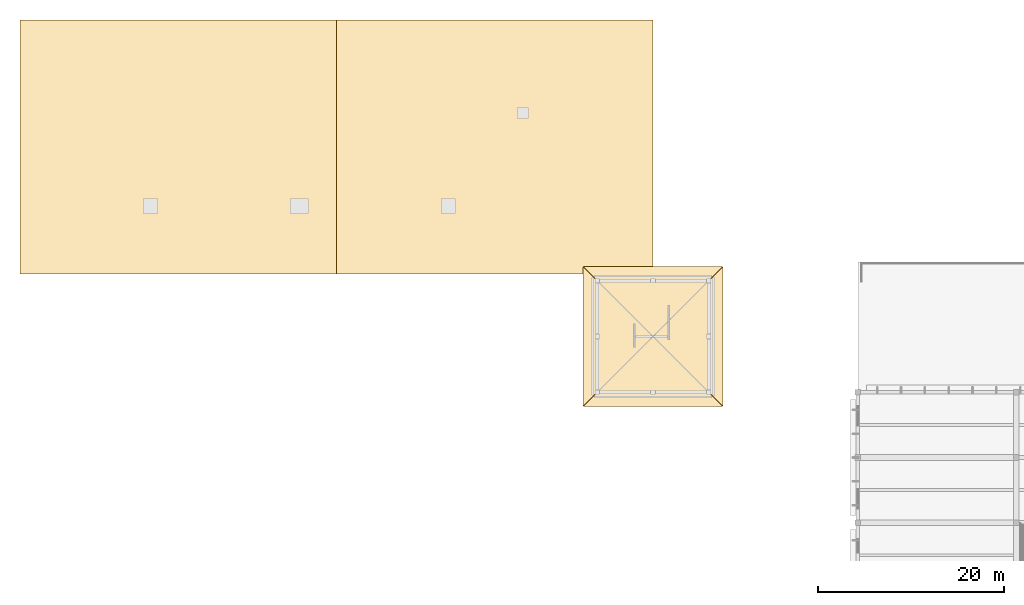
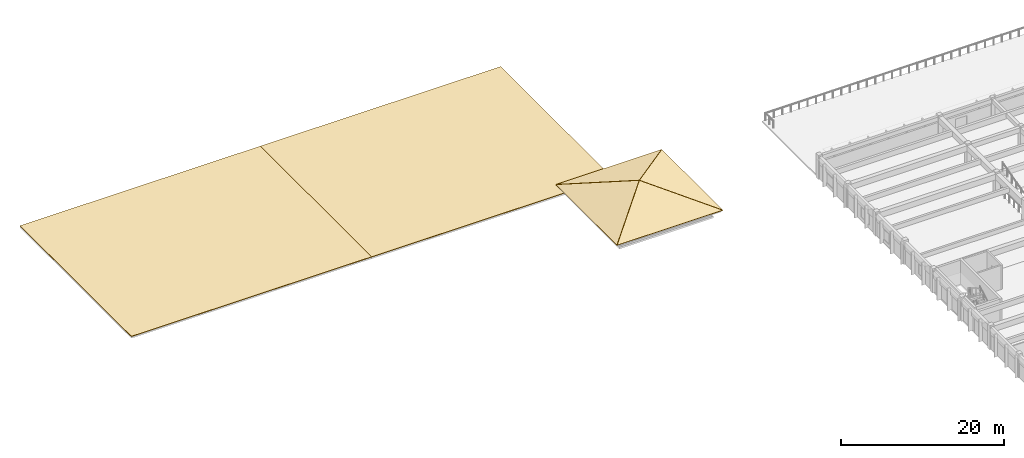
# One storey, part 31 of 33: 6 coverings.
"""IFC4 building model written with IfcOpenShell, lengths in metres."""

from ifc_helpers import new_model, si_unit, direction, frame, origin, place, context, subcontext, project, spatial, polyline, outline, extrude, material, layer, layer_set, type_object, element, save


model = new_model("IFC4")

# Units and contexts
model_context = context("Model", 3, precision=1e-05, world=origin(), true_north=direction((0.0, 1.0)))
body_context = subcontext(model_context, "Body", "Model", "MODEL_VIEW")
ifc_project = project(units=[si_unit("LENGTHUNIT", "METRE"), si_unit("AREAUNIT", "SQUARE_METRE"), si_unit("VOLUMEUNIT", "CUBIC_METRE"), si_unit("PLANEANGLEUNIT", "RADIAN"), si_unit("MASSUNIT", "GRAM", prefix="KILO")], contexts=[model_context])

# Site, building, storey
site_placement = place(None, origin())
site = spatial("IfcSite", under=ifc_project, at=site_placement, CompositionType="ELEMENT")
building_placement = place(site_placement, origin())
building = spatial("IfcBuilding", under=site, at=building_placement, Name="Larkveld Mobility Hub", CompositionType="ELEMENT")
storey_placement = place(building_placement, frame((0.0, 0.0, 15.60009765625)))
storey = spatial("IfcBuildingStorey", under=building, at=storey_placement, Name="L04", CompositionType="ELEMENT", Elevation=15.60009765625)

# Coverings
ifc_material = material(Name="Standing-seam zinc-alume roofing", Category="aluminium")
ifc_layer = layer(ifc_material, 0.080078125, Name="Standing-seam zinc-alume roofing", Category="aluminium")
ifc_layer_set = layer_set([ifc_layer], Name="Standing-seam zinc-alume roofing")
covering_type = type_object("IfcCoveringType", Name="COV-RFG-01", PredefinedType="ROOFING", material=ifc_layer_set)
covering_1_placement = place(storey_placement, origin())
element("IfcCovering", 1, at=covering_1_placement, inside=storey, type_object=covering_type, Name="Bicycle Hall Standing-Seam Overhanging Roof 1", PredefinedType="ROOFING", context=body_context, shape_type="SweptSolid", body=[
    extrude(outline(polyline([(22.0, 96.699951171875), (56.0, 96.699951171875), (56.0, 124.0), (22.0, 124.0), (22.0, 96.699951171875)])), origin(), (0.0, 0.0, 1.0), 0.079833984375),
])
covering_2_placement = place(storey_placement, origin())
element("IfcCovering", 2, at=covering_2_placement, inside=storey, type_object=covering_type, Name="Bicycle Hall Standing-Seam Overhanging Roof 2", PredefinedType="ROOFING", context=body_context, shape_type="SweptSolid", body=[
    extrude(outline(polyline([(56.0, 96.699951171875), (90.0, 96.699951171875), (90.0, 124.0), (56.0, 124.0), (56.0, 96.699951171875)])), origin(), (0.0, 0.0, 1.0), 0.079833984375),
])
for number, where, z_axis, x_axis, name in (
    (3, (82.52001953125, 82.5, 1.1318359375), (0.0, -0.322458778773, 0.946583507142), (1.0, 0.0, 0.0), "Pavilion Standing-Seam Roof Facet 1"),
    (4, (97.5, 82.52001953125, 1.1318359375), (0.322458778773, 0.0, 0.946583507142), (0.0, 1.0, 0.0), "Pavilion Standing-Seam Roof Facet 2"),
    (5, (97.47998046875, 97.5, 1.1318359375), (0.0, 0.322458778773, 0.946583507142), (-1.0, 0.0, 0.0), "Pavilion Standing-Seam Roof Facet 3"),
    (6, (82.5, 97.47998046875, 1.1318359375), (-0.322458778773, 0.0, 0.946583507142), (0.0, -1.0, 0.0), "Pavilion Standing-Seam Roof Facet 4"),
):
    element("IfcCovering", number, at=place(storey_placement, frame(where, z_axis=z_axis, x_axis=x_axis)), inside=storey, type_object=covering_type, Name=name, PredefinedType="ROOFING", context=body_context, shape_type="SweptSolid", body=[
        extrude(outline(polyline([(0.0, 0.0), (14.9599609375, 0.0), (7.47998046875, 7.90208197408541), (0.0, 0.0)])), origin(), (0.0, 0.0, -1.0), 0.080078125),
    ])

save(model, "model.ifc")
